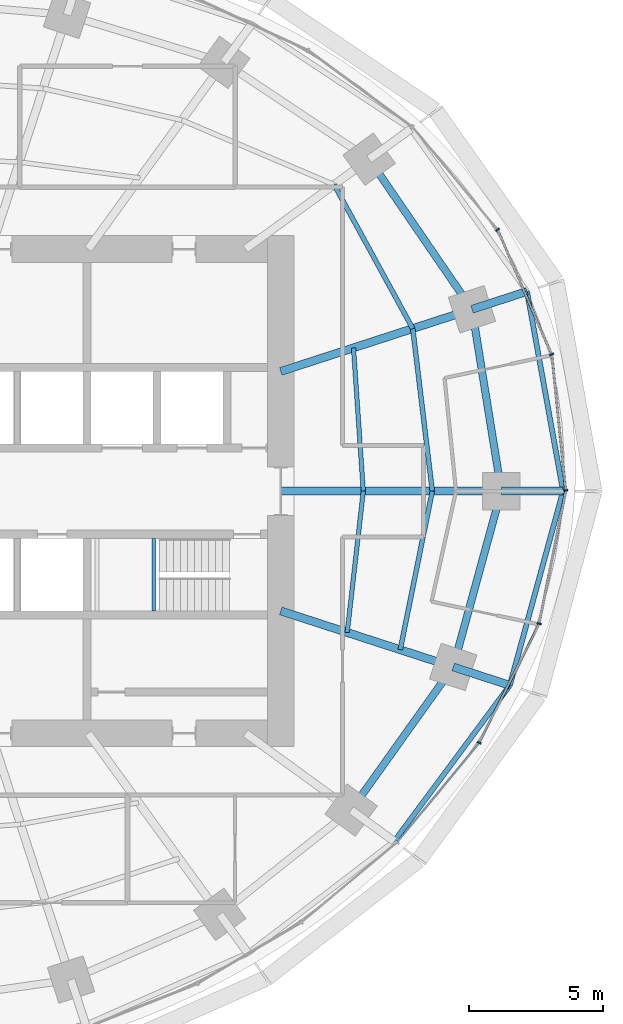
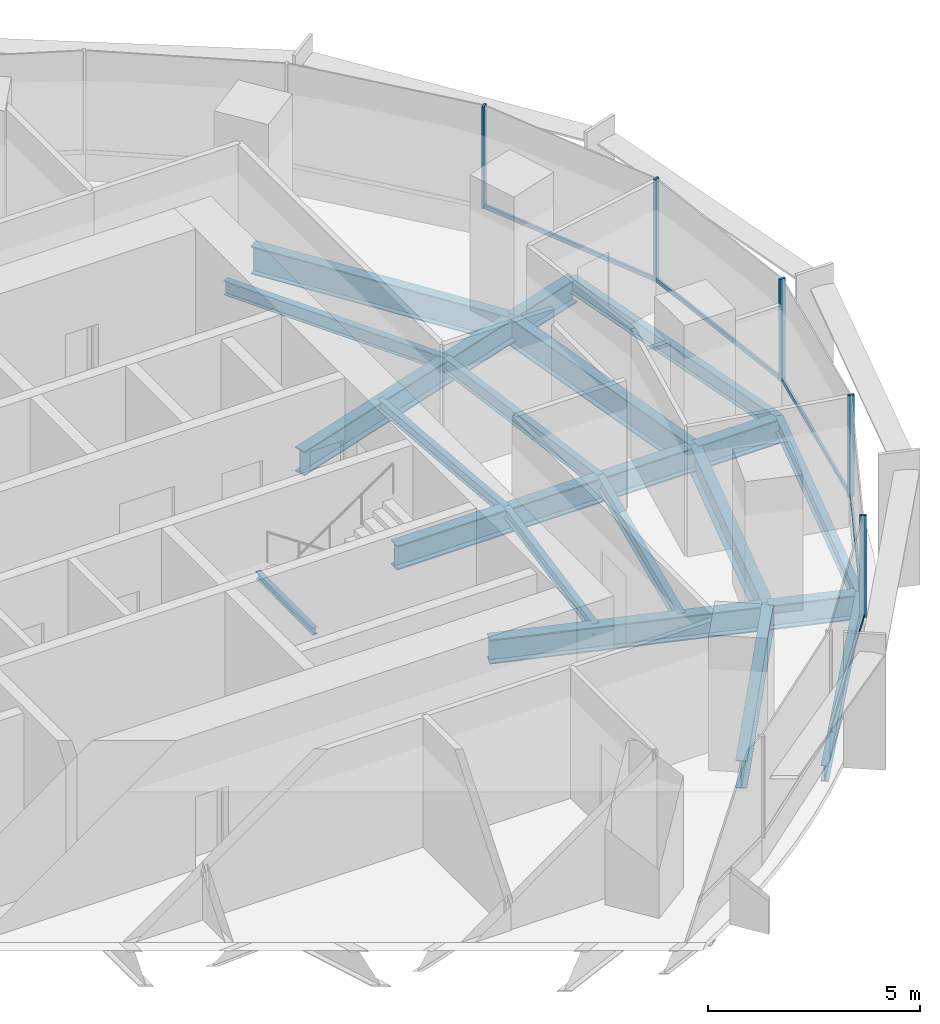
# One storey, part 6 of 14: 19 beams, 10 members, 2 elements without a shape of their own.
"""IFC4 building model written with IfcOpenShell, lengths in metres."""

from ifc_helpers import new_model, si_unit, direction, frame, origin, origin_2d, place, context, subcontext, project, spatial, rectangle, i_section, extrude, material, material_profile, profile_set, type_object, element, aggregate, save


model = new_model("IFC4")

# Units and contexts
model_context = context("Model", 3, precision=1e-05, world=origin(), true_north=direction((0.0, 1.0)))
body_context = subcontext(model_context, "Body", "Model", "MODEL_VIEW")
ifc_project = project(units=[si_unit("LENGTHUNIT", "METRE"), si_unit("AREAUNIT", "SQUARE_METRE"), si_unit("VOLUMEUNIT", "CUBIC_METRE"), si_unit("PLANEANGLEUNIT", "RADIAN"), si_unit("MASSUNIT", "GRAM", prefix="KILO")], contexts=[model_context])

# Site, building, storey
site_placement = place(None, origin())
site = spatial("IfcSite", under=ifc_project, at=site_placement, CompositionType="ELEMENT")
building_placement = place(site_placement, origin())
building = spatial("IfcBuilding", under=site, at=building_placement, Name="Marramba Exchange Tower", CompositionType="ELEMENT")
storey_placement = place(building_placement, frame((0.0, 0.0, 176.0)))
storey = spatial("IfcBuildingStorey", under=building, at=storey_placement, Name="L42", CompositionType="ELEMENT", Elevation=176.0)

# Beams
ifc_material_1 = material(Name="Steel AS/NZS 3679.2 grade 300", Category="steel")
ifc_material_profile_1 = material_profile(ifc_material_1, i_section(OverallWidth=0.300048828125, OverallDepth=0.699951171875, WebThickness=0.010009765625, FlangeThickness=0.031982421875, at=origin_2d()), Name="700WB173")
ifc_profile_set_1 = profile_set([ifc_material_profile_1], Name="Steel AS/NZS 3679.2 grade 300")
beam_type_1 = type_object("IfcBeamType", Name="Cantilever girder 700WB173", PredefinedType="BEAM", material=ifc_profile_set_1)
beam_1_placement = place(storey_placement, frame((21.89990234375, 0.0, -0.510009765625), z_axis=(1.0, 0.0, 0.0), x_axis=(0.0, 1.0, 0.0)))
element("IfcBeam", 1, at=beam_1_placement, inside=storey, type_object=beam_type_1, Name="Cantilever girder L42 TC01", PredefinedType="BEAM", context=body_context, shape_type="SweptSolid", body=[
    extrude(i_section(OverallWidth=0.300048828125, OverallDepth=0.699951171875, WebThickness=0.010009765625, FlangeThickness=0.031982421875, at=origin_2d()), origin(), (0.0, 0.0, 1.0), 2.294189453125),
])
beam_2_placement = place(storey_placement, frame((20.808349609375, 6.760986328125, -0.510009765625), z_axis=(0.951051587859, 0.309032162129, 0.0), x_axis=(-0.309032162129, 0.951051587859, 0.0)))
element("IfcBeam", 2, at=beam_2_placement, inside=storey, type_object=beam_type_1, Name="Cantilever girder L42 TC02", PredefinedType="BEAM", context=body_context, shape_type="SweptSolid", body=[
    extrude(i_section(OverallWidth=0.300048828125, OverallDepth=0.699951171875, WebThickness=0.010009765625, FlangeThickness=0.031982421875, at=origin_2d()), origin(), (0.0, 0.0, 1.0), 2.150390625),
])
beam_3_placement = place(storey_placement, frame((20.109375, -6.533935546875, -0.510009765625), z_axis=(0.951050283347, -0.309036176758, 0.0), x_axis=(0.309036176758, 0.951050283347, 0.0)))
element("IfcBeam", 3, at=beam_3_placement, inside=storey, type_object=beam_type_1, Name="Cantilever girder L42 TC20", PredefinedType="BEAM", context=body_context, shape_type="SweptSolid", body=[
    extrude(i_section(OverallWidth=0.300048828125, OverallDepth=0.699951171875, WebThickness=0.010009765625, FlangeThickness=0.031982421875, at=origin_2d()), origin(), (0.0, 0.0, 1.0), 2.212890625),
])
ifc_material_2 = material(Name="Steel AS/NZS 3679.1 grade 300", Category="steel")
ifc_material_profile_2 = material_profile(ifc_material_2, i_section(OverallWidth=0.166015625, OverallDepth=0.306884765625, WebThickness=0.006591796875, FlangeThickness=0.01171875, FilletRadius=0.011474609375, at=origin_2d()), Name="310UB46.2")
ifc_profile_set_2 = profile_set([ifc_material_profile_2], Name="Steel AS/NZS 3679.1 grade 300")
beam_type_2 = type_object("IfcBeamType", Name="Floor joist 310UB46.2", PredefinedType="JOIST", material=ifc_profile_set_2)
beam_4_placement = place(storey_placement, frame((16.7666015625, 0.0, -0.3134765625), z_axis=(-0.068096259546, 0.99767875563, 0.0), x_axis=(-0.99767875563, -0.068096259546, 0.0)))
element("IfcBeam", 4, at=beam_4_placement, inside=storey, type_object=beam_type_2, Name="Joist L42 bay 01 row 1", PredefinedType="JOIST", context=body_context, shape_type="SweptSolid", body=[
    extrude(i_section(OverallWidth=0.166015625, OverallDepth=0.306884765625, WebThickness=0.006591796875, FlangeThickness=0.01171875, FilletRadius=0.011474609375, at=origin_2d()), origin(), (0.0, 0.0, 1.0), 5.342041015625),
])
beam_5_placement = place(storey_placement, frame((16.169677734375, -5.25390625, -0.3134765625), z_axis=(0.112888968594, 0.993607609054, 0.0), x_axis=(-0.993607609054, 0.112888968594, 0.0)))
element("IfcBeam", 5, at=beam_5_placement, inside=storey, type_object=beam_type_2, Name="Joist L42 bay 20 row 1", PredefinedType="JOIST", context=body_context, shape_type="SweptSolid", body=[
    extrude(i_section(OverallWidth=0.166015625, OverallDepth=0.306884765625, WebThickness=0.006591796875, FlangeThickness=0.01171875, FilletRadius=0.011474609375, at=origin_2d()), origin(), (0.0, 0.0, 1.0), 5.28759765625),
])
ifc_material_profile_3 = material_profile(ifc_material_2, i_section(OverallWidth=0.177978515625, OverallDepth=0.406005859375, WebThickness=0.0078125, FlangeThickness=0.0126953125, FilletRadius=0.011474609375, at=origin_2d()), Name="410UB59.7")
ifc_profile_set_3 = profile_set([ifc_material_profile_3], Name="Steel AS/NZS 3679.1 grade 300")
beam_type_3 = type_object("IfcBeamType", Name="Floor joist 410UB59.7", PredefinedType="JOIST", material=ifc_profile_set_3)
beam_6_placement = place(storey_placement, frame((19.333251953125, 0.0, -0.363037109375), z_axis=(-0.119523078538, 0.992831422597, 0.0), x_axis=(-0.992831422597, -0.119523078538, 0.0)))
element("IfcBeam", 6, at=beam_6_placement, inside=storey, type_object=beam_type_3, Name="Joist L42 bay 01 row 2", PredefinedType="JOIST", context=body_context, shape_type="SweptSolid", body=[
    extrude(i_section(OverallWidth=0.177978515625, OverallDepth=0.406005859375, WebThickness=0.0078125, FlangeThickness=0.0126953125, FilletRadius=0.011474609375, at=origin_2d()), origin(), (0.0, 0.0, 1.0), 6.089111328125),
])
beam_7_placement = place(storey_placement, frame((18.60546875, 6.04541015625, -0.363037109375), z_axis=(-0.479584443791, 0.877495732909, 0.0), x_axis=(-0.877495732909, -0.479584443791, 0.0)))
element("IfcBeam", 7, at=beam_7_placement, inside=storey, type_object=beam_type_3, Name="Joist L42 bay 02 row 2", PredefinedType="JOIST", context=body_context, shape_type="SweptSolid", body=[
    extrude(i_section(OverallWidth=0.177978515625, OverallDepth=0.406005859375, WebThickness=0.0078125, FlangeThickness=0.0126953125, FilletRadius=0.011474609375, at=origin_2d()), origin(), (0.0, 0.0, 1.0), 6.094970703125),
])
beam_8_placement = place(storey_placement, frame((18.1396484375, -5.893798828125, -0.363037109375), z_axis=(0.198489047047, 0.980103105904, 0.0), x_axis=(-0.980103105904, 0.198489047047, 0.0)))
element("IfcBeam", 8, at=beam_8_placement, inside=storey, type_object=beam_type_3, Name="Joist L42 bay 20 row 2", PredefinedType="JOIST", context=body_context, shape_type="SweptSolid", body=[
    extrude(i_section(OverallWidth=0.177978515625, OverallDepth=0.406005859375, WebThickness=0.0078125, FlangeThickness=0.0126953125, FilletRadius=0.011474609375, at=origin_2d()), origin(), (0.0, 0.0, 1.0), 6.013427734375),
])

# Curtain wall, members
ifc_material_3 = material(Name="Aluminium framing, bronze anodised", Category="aluminium")
curtain_wall_type = type_object("IfcCurtainWallType", Name="Office ribbon curtain wall", PredefinedType="USERDEFINED", material=ifc_material_3)
curtain_wall_1_placement = place(storey_placement, origin())
curtain_wall_1 = element("IfcCurtainWall", 9, at=curtain_wall_1_placement, inside=storey, type_object=curtain_wall_type, Name="Curtain wall CW4 L42 F01-F05", ObjectType="RIBBON CURTAIN WALL", PredefinedType="USERDEFINED")
ifc_material_4 = material(Name="Aluminium mullion, bronze anodised", Category="aluminium")
ifc_material_profile_4 = material_profile(ifc_material_4, rectangle(XDim=0.159912109375, YDim=0.06005859375, at=origin_2d()), Name="CW4 mullion 60x160")
ifc_profile_set_4 = profile_set([ifc_material_profile_4], Name="Aluminium mullion, bronze anodised")
member_type_1 = type_object("IfcMemberType", Name="Office ribbon curtain wall mullion", PredefinedType="MULLION", material=ifc_profile_set_4)
member_1_placement = place(storey_placement, frame((24.291015625, 0.02978515625, 0.800048828125), z_axis=(0.0, 0.0, 1.0), x_axis=(-0.994843446001, -0.101422472607, 0.0)))
member_1 = element("IfcMember", 10, at=member_1_placement, type_object=member_type_1, Name="CW4 mullion 1", PredefinedType="MULLION", context=body_context, shape_type="SweptSolid", body=[
    extrude(rectangle(XDim=0.159912109375, YDim=0.06005859375, at=origin_2d()), origin(), (0.0, 0.0, 1.0), 2.93994140625),
])
member_2_placement = place(storey_placement, frame((23.766845703125, 5.081787109375, 0.800048828125), z_axis=(0.0, 0.0, 1.0), x_axis=(-0.918167104527, -0.396193346946, 0.0)))
member_2 = element("IfcMember", 11, at=member_2_placement, type_object=member_type_1, Name="CW4 mullion 1", PredefinedType="MULLION", context=body_context, shape_type="SweptSolid", body=[
    extrude(rectangle(XDim=0.159912109375, YDim=0.06005859375, at=origin_2d()), origin(), (0.0, 0.0, 1.0), 2.93994140625),
])
member_3_placement = place(storey_placement, frame((21.757080078125, 9.718505859375, 0.800048828125), z_axis=(0.0, 0.0, 1.0), x_axis=(-0.770574258342, -0.637350227411, 0.0)))
member_3 = element("IfcMember", 12, at=member_3_placement, type_object=member_type_1, Name="CW4 mullion 1", PredefinedType="MULLION", context=body_context, shape_type="SweptSolid", body=[
    extrude(rectangle(XDim=0.159912109375, YDim=0.06005859375, at=origin_2d()), origin(), (0.0, 0.0, 1.0), 2.93994140625),
])

curtain_wall_2_placement = place(storey_placement, origin())
curtain_wall_2 = element("IfcCurtainWall", 13, at=curtain_wall_2_placement, inside=storey, type_object=curtain_wall_type, Name="Curtain wall CW4 L42 F26-F30", ObjectType="RIBBON CURTAIN WALL", PredefinedType="USERDEFINED")
member_4_placement = place(storey_placement, frame((21.07568359375, -9.3505859375, 0.800048828125), z_axis=(0.0, 0.0, 1.0), x_axis=(-0.892689067591, 0.450673083956, 0.0)))
member_4 = element("IfcMember", 14, at=member_4_placement, type_object=member_type_1, Name="CW4 mullion 1", PredefinedType="MULLION", context=body_context, shape_type="SweptSolid", body=[
    extrude(rectangle(XDim=0.159912109375, YDim=0.06005859375, at=origin_2d()), origin(), (0.0, 0.0, 1.0), 2.93994140625),
])
member_5_placement = place(storey_placement, frame((23.30224609375, -4.92236328125, 0.800048828125), z_axis=(0.0, 0.0, 1.0), x_axis=(-0.980303812539, 0.197495405316, 0.0)))
member_5 = element("IfcMember", 15, at=member_5_placement, type_object=member_type_1, Name="CW4 mullion 1", PredefinedType="MULLION", context=body_context, shape_type="SweptSolid", body=[
    extrude(rectangle(XDim=0.159912109375, YDim=0.06005859375, at=origin_2d()), origin(), (0.0, 0.0, 1.0), 2.93994140625),
])

# Member
ifc_material_5 = material(Name="Aluminium transom, bronze anodised", Category="aluminium")
ifc_material_profile_5 = material_profile(ifc_material_5, rectangle(XDim=0.06005859375, YDim=0.1201171875, at=origin_2d()), Name="CW4 transom 60x120")
ifc_profile_set_5 = profile_set([ifc_material_profile_5], Name="Aluminium transom, bronze anodised")
member_type_2 = type_object("IfcMemberType", Name="Office ribbon curtain wall transom", PredefinedType="USERDEFINED", material=ifc_profile_set_5)
member_6_placement = place(storey_placement, frame((24.287841796875, 0.0595703125, 0.830078125), z_axis=(-0.101386007846, 0.994847162841, 0.0), x_axis=(-0.994847162841, -0.101386007846, 0.0)))
member_6 = element("IfcMember", 16, at=member_6_placement, type_object=member_type_2, Name="CW4 sill transom", ObjectType="TRANSOM", PredefinedType="USERDEFINED", context=body_context, shape_type="SweptSolid", body=[
    extrude(rectangle(XDim=0.06005859375, YDim=0.1201171875, at=origin_2d()), origin(), (0.0, 0.0, 1.0), 5.020751953125),
])

member_7_placement = place(storey_placement, frame((23.7548828125, 5.109375, 0.830078125), z_axis=(-0.396177573744, 0.918173910576, 0.0), x_axis=(-0.918173910576, -0.396177573744, 0.0)))
member_7 = element("IfcMember", 17, at=member_7_placement, type_object=member_type_2, Name="CW4 sill transom", ObjectType="TRANSOM", PredefinedType="USERDEFINED", context=body_context, shape_type="SweptSolid", body=[
    extrude(rectangle(XDim=0.06005859375, YDim=0.1201171875, at=origin_2d()), origin(), (0.0, 0.0, 1.0), 4.99462890625),
])

aggregate(curtain_wall_1, [member_1, member_6, member_2, member_7, member_3])

member_8_placement = place(storey_placement, frame((18.03515625, -13.029296875, 0.830078125), z_axis=(0.638146908901, 0.76991462037, 0.0), x_axis=(-0.76991462037, 0.638146908901, 0.0)))
member_8 = element("IfcMember", 18, at=member_8_placement, type_object=member_type_2, Name="CW4 sill transom", ObjectType="TRANSOM", PredefinedType="USERDEFINED", context=body_context, shape_type="SweptSolid", body=[
    extrude(rectangle(XDim=0.06005859375, YDim=0.1201171875, at=origin_2d()), origin(), (0.0, 0.0, 1.0), 4.7431640625),
])

member_9_placement = place(storey_placement, frame((21.089111328125, -9.323974609375, 0.830078125), z_axis=(0.450679681949, 0.892685736572, 0.0), x_axis=(-0.892685736572, 0.450679681949, 0.0)))
member_9 = element("IfcMember", 19, at=member_9_placement, type_object=member_type_2, Name="CW4 sill transom", ObjectType="TRANSOM", PredefinedType="USERDEFINED", context=body_context, shape_type="SweptSolid", body=[
    extrude(rectangle(XDim=0.06005859375, YDim=0.1201171875, at=origin_2d()), origin(), (0.0, 0.0, 1.0), 4.897705078125),
])

member_10_placement = place(storey_placement, frame((23.308349609375, -4.89306640625, 0.830078125), z_axis=(0.197461053167, 0.980310732616, 0.0), x_axis=(-0.980310732616, 0.197461053167, 0.0)))
member_10 = element("IfcMember", 20, at=member_10_placement, type_object=member_type_2, Name="CW4 sill transom", ObjectType="TRANSOM", PredefinedType="USERDEFINED", context=body_context, shape_type="SweptSolid", body=[
    extrude(rectangle(XDim=0.06005859375, YDim=0.1201171875, at=origin_2d()), origin(), (0.0, 0.0, 1.0), 4.991455078125),
])

aggregate(curtain_wall_2, [member_8, member_4, member_9, member_5, member_10])

# Beams
ifc_material_profile_6 = material_profile(ifc_material_1, i_section(OverallWidth=0.300048828125, OverallDepth=0.699951171875, WebThickness=0.010009765625, FlangeThickness=0.031982421875, at=origin_2d()), Name="700WB173")
ifc_profile_set_6 = profile_set([ifc_material_profile_6], Name="Steel AS/NZS 3679.2 grade 300")
beam_type_4 = type_object("IfcBeamType", Name="Radial girder 700WB173", PredefinedType="BEAM", material=ifc_profile_set_6)
beam_9_placement = place(storey_placement, frame((13.699951171875, 0.0, -0.510009765625), z_axis=(1.0, 0.0, 0.0), x_axis=(0.0, 1.0, 0.0)))
element("IfcBeam", 21, at=beam_9_placement, inside=storey, type_object=beam_type_4, Name="Radial girder L42 TC01", PredefinedType="BEAM", context=body_context, shape_type="SweptSolid", body=[
    extrude(i_section(OverallWidth=0.300048828125, OverallDepth=0.699951171875, WebThickness=0.010009765625, FlangeThickness=0.031982421875, at=origin_2d()), origin(), (0.0, 0.0, 1.0), 8.199951171875),
])
beam_10_placement = place(storey_placement, frame((13.699951171875, 4.451416015625, -0.510009765625), z_axis=(0.951059990189, 0.309006302624, 0.0), x_axis=(-0.309006302624, 0.951059990189, 0.0)))
element("IfcBeam", 22, at=beam_10_placement, inside=storey, type_object=beam_type_4, Name="Radial girder L42 TC02", PredefinedType="BEAM", context=body_context, shape_type="SweptSolid", body=[
    extrude(i_section(OverallWidth=0.300048828125, OverallDepth=0.699951171875, WebThickness=0.010009765625, FlangeThickness=0.031982421875, at=origin_2d()), origin(), (0.0, 0.0, 1.0), 7.47412109375),
])
beam_11_placement = place(storey_placement, frame((13.699951171875, -4.451416015625, -0.510009765625), z_axis=(0.951057759669, -0.309013167637, 0.0), x_axis=(0.309013167637, 0.951057759669, 0.0)))
element("IfcBeam", 23, at=beam_11_placement, inside=storey, type_object=beam_type_4, Name="Radial girder L42 TC20", PredefinedType="BEAM", context=body_context, shape_type="SweptSolid", body=[
    extrude(i_section(OverallWidth=0.300048828125, OverallDepth=0.699951171875, WebThickness=0.010009765625, FlangeThickness=0.031982421875, at=origin_2d()), origin(), (0.0, 0.0, 1.0), 6.7392578125),
])
ifc_material_profile_7 = material_profile(ifc_material_1, i_section(OverallWidth=0.27490234375, OverallDepth=0.800048828125, WebThickness=0.010009765625, FlangeThickness=0.02490234375, at=origin_2d()), Name="800WB168")
ifc_profile_set_7 = profile_set([ifc_material_profile_7], Name="Steel AS/NZS 3679.2 grade 300")
beam_type_5 = type_object("IfcBeamType", Name="Ring beam 800WB168", PredefinedType="SPANDREL", material=ifc_profile_set_7)
beam_12_placement = place(storey_placement, frame((21.89990234375, 0.0, -0.56005859375), z_axis=(-0.159384865399, 0.987216523708, 0.0), x_axis=(-0.987216523708, -0.159384865399, 0.0)))
element("IfcBeam", 24, at=beam_12_placement, inside=storey, type_object=beam_type_5, Name="Ring beam L42 TC01-TC02", PredefinedType="SPANDREL", context=body_context, shape_type="SweptSolid", body=[
    extrude(i_section(OverallWidth=0.27490234375, OverallDepth=0.800048828125, WebThickness=0.010009765625, FlangeThickness=0.02490234375, at=origin_2d()), origin(), (0.0, 0.0, 1.0), 6.8486328125),
])
beam_13_placement = place(storey_placement, frame((20.808349609375, 6.760986328125, -0.56005859375), z_axis=(-0.56516002054, 0.824981303535, 0.0), x_axis=(-0.824981303535, -0.56516002054, 0.0)))
element("IfcBeam", 25, at=beam_13_placement, inside=storey, type_object=beam_type_5, Name="Ring beam L42 TC02-TC03", PredefinedType="SPANDREL", context=body_context, shape_type="SweptSolid", body=[
    extrude(i_section(OverallWidth=0.27490234375, OverallDepth=0.800048828125, WebThickness=0.010009765625, FlangeThickness=0.02490234375, at=origin_2d()), origin(), (0.0, 0.0, 1.0), 6.763671875),
])
beam_14_placement = place(storey_placement, frame((16.3154296875, -11.853759765625, -0.56005859375), z_axis=(0.580637181111, 0.814162430914, 0.0), x_axis=(-0.814162430914, 0.580637181111, 0.0)))
element("IfcBeam", 26, at=beam_14_placement, inside=storey, type_object=beam_type_5, Name="Ring beam L42 TC19-TC20", PredefinedType="SPANDREL", context=body_context, shape_type="SweptSolid", body=[
    extrude(i_section(OverallWidth=0.27490234375, OverallDepth=0.800048828125, WebThickness=0.010009765625, FlangeThickness=0.02490234375, at=origin_2d()), origin(), (0.0, 0.0, 1.0), 6.5341796875),
])
beam_15_placement = place(storey_placement, frame((20.109375, -6.533935546875, -0.56005859375), z_axis=(0.264291166956, 0.964442937176, 0.0), x_axis=(-0.964442937176, 0.264291166956, 0.0)))
element("IfcBeam", 27, at=beam_15_placement, inside=storey, type_object=beam_type_5, Name="Ring beam L42 TC20-TC01", PredefinedType="SPANDREL", context=body_context, shape_type="SweptSolid", body=[
    extrude(i_section(OverallWidth=0.27490234375, OverallDepth=0.800048828125, WebThickness=0.010009765625, FlangeThickness=0.02490234375, at=origin_2d()), origin(), (0.0, 0.0, 1.0), 6.77490234375),
])
ifc_material_profile_8 = material_profile(ifc_material_2, i_section(OverallWidth=0.19091796875, OverallDepth=0.4599609375, WebThickness=0.010009765625, FlangeThickness=0.01611328125, FilletRadius=0.011474609375, at=origin_2d()), Name="460UB82.1")
ifc_profile_set_8 = profile_set([ifc_material_profile_8], Name="Steel AS/NZS 3679.1 grade 300")
beam_type_6 = type_object("IfcBeamType", Name="Slab edge beam 460UB82.1", PredefinedType="SPANDREL", material=ifc_profile_set_8)
beam_16_placement = place(storey_placement, frame((24.194091796875, 0.0, -0.389892578125), z_axis=(-0.177663817107, 0.984091239719, 0.0), x_axis=(-0.984091239719, -0.177663817107, 0.0)))
element("IfcBeam", 28, at=beam_16_placement, inside=storey, type_object=beam_type_6, Name="Slab edge beam L42 TC01-TC02", PredefinedType="SPANDREL", context=body_context, shape_type="SweptSolid", body=[
    extrude(i_section(OverallWidth=0.19091796875, OverallDepth=0.4599609375, WebThickness=0.010009765625, FlangeThickness=0.01611328125, FilletRadius=0.011474609375, at=origin_2d()), origin(), (0.0, 0.0, 1.0), 7.545654296875),
])
beam_17_placement = place(storey_placement, frame((17.916015625, -13.016845703125, -0.389892578125), z_axis=(0.595428136035, 0.803408572781, 0.0), x_axis=(-0.803408572781, 0.595428136035, 0.0)))
element("IfcBeam", 29, at=beam_17_placement, inside=storey, type_object=beam_type_6, Name="Slab edge beam L42 TC19-TC20", PredefinedType="SPANDREL", context=body_context, shape_type="SweptSolid", body=[
    extrude(i_section(OverallWidth=0.19091796875, OverallDepth=0.4599609375, WebThickness=0.010009765625, FlangeThickness=0.01611328125, FilletRadius=0.011474609375, at=origin_2d()), origin(), (0.0, 0.0, 1.0), 7.218017578125),
])
beam_18_placement = place(storey_placement, frame((22.2138671875, -7.2177734375, -0.389892578125), z_axis=(0.264577205901, 0.964364506874, 0.0), x_axis=(-0.964364506874, 0.264577205901, 0.0)))
element("IfcBeam", 30, at=beam_18_placement, inside=storey, type_object=beam_type_6, Name="Slab edge beam L42 TC20-TC01", PredefinedType="SPANDREL", context=body_context, shape_type="SweptSolid", body=[
    extrude(i_section(OverallWidth=0.19091796875, OverallDepth=0.4599609375, WebThickness=0.010009765625, FlangeThickness=0.01611328125, FilletRadius=0.011474609375, at=origin_2d()), origin(), (0.0, 0.0, 1.0), 7.484375),
])
ifc_material_profile_9 = material_profile(ifc_material_2, i_section(OverallWidth=0.133056640625, OverallDepth=0.202880859375, WebThickness=0.005859375, FlangeThickness=0.0078125, FilletRadius=0.0087890625, at=origin_2d()), Name="200UB25.4")
ifc_profile_set_9 = profile_set([ifc_material_profile_9], Name="Steel AS/NZS 3679.1 grade 300")
beam_type_7 = type_object("IfcBeamType", Name="Stair landing beam 200UB25.4", PredefinedType="BEAM", material=ifc_profile_set_9)
beam_19_placement = place(storey_placement, frame((8.9833984375, -4.449951171875, 1.6484375), z_axis=(0.0, 1.0, 0.0), x_axis=(-1.0, 0.0, 0.0)))
element("IfcBeam", 31, at=beam_19_placement, inside=storey, type_object=beam_type_7, Name="Stair landing beam SLB1 ST2 L42 2", PredefinedType="BEAM", context=body_context, shape_type="SweptSolid", body=[
    extrude(i_section(OverallWidth=0.133056640625, OverallDepth=0.202880859375, WebThickness=0.005859375, FlangeThickness=0.0078125, FilletRadius=0.0087890625, at=origin_2d()), origin(), (0.0, 0.0, 1.0), 2.699951171875),
])

save(model, "model.ifc")
